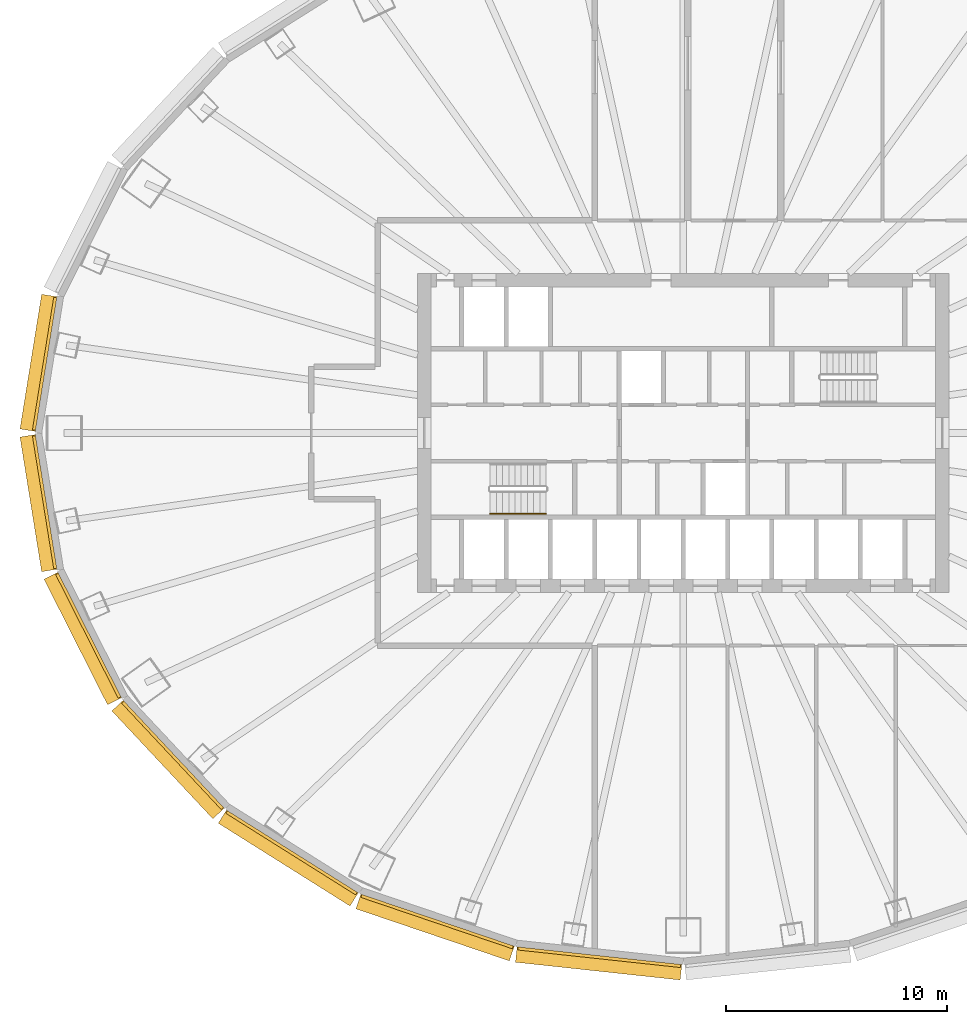
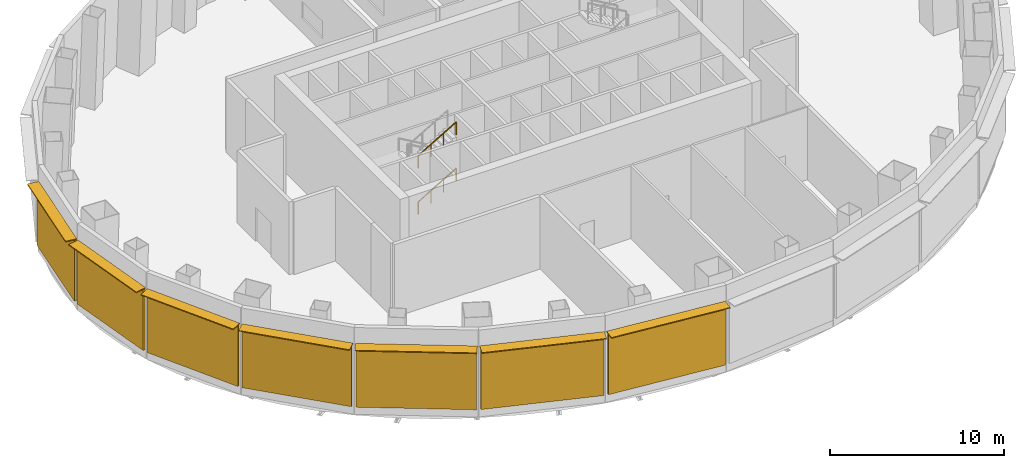
# One storey, part 6 of 9: 14 shading devices, 2 railings.
"""IFC4 building model written with IfcOpenShell, lengths in metres."""

from ifc_helpers import new_model, si_unit, direction, frame, origin, origin_2d, place, context, subcontext, project, spatial, rectangle, circle, extrude, material, layer, layer_set, type_object, element, save


model = new_model("IFC4")

# Units and contexts
model_context = context("Model", 3, precision=1e-05, world=origin(), true_north=direction((0.0, 1.0)))
body_context = subcontext(model_context, "Body", "Model", "MODEL_VIEW")
ifc_project = project(units=[si_unit("LENGTHUNIT", "METRE"), si_unit("AREAUNIT", "SQUARE_METRE"), si_unit("VOLUMEUNIT", "CUBIC_METRE"), si_unit("PLANEANGLEUNIT", "RADIAN"), si_unit("MASSUNIT", "GRAM", prefix="KILO")], contexts=[model_context])

# Site, building, storey
site_placement = place(None, origin())
site = spatial("IfcSite", under=ifc_project, at=site_placement, CompositionType="ELEMENT")
building_placement = place(site_placement, origin())
building = spatial("IfcBuilding", under=site, at=building_placement, Name="Siaravel Broadcast Tower", CompositionType="ELEMENT")
storey_placement = place(building_placement, frame((0.0, 0.0, 13.5)))
storey = spatial("IfcBuildingStorey", under=building, at=storey_placement, Name="L02", CompositionType="ELEMENT", Elevation=13.5)

# Shading devices
ifc_material_1 = material(Name="Bronze anodised aluminium", Category="aluminium")
ifc_layer_1 = layer(ifc_material_1, 0.06005859375)
ifc_layer_set_1 = layer_set([ifc_layer_1], Name="Bronze anodised aluminium")
shading_device_type_1 = type_object("IfcShadingDeviceType", Name="Brise-soleil band", PredefinedType="USERDEFINED", material=ifc_layer_set_1)
for number, where, z_axis, x_axis, name in (
    (1, (-29.1201171875, 3.168701171875, 4.929931640625), (0.0, 0.0, 1.0), (-0.158685394, -0.987329198, 0.0), "L02 brise-soleil band 12"),
    (2, (-29.1201171875, -3.168701171875, 4.929931640625), (0.0, 0.0, 1.0), (0.158685394, -0.987329198, 0.0), "L02 brise-soleil band 13"),
):
    element("IfcShadingDevice", number, at=place(storey_placement, frame(where, z_axis=z_axis, x_axis=x_axis)), inside=storey, type_object=shading_device_type_1, Name=name, ObjectType="SUNSHADE", PredefinedType="USERDEFINED", context=body_context, shape_type="SweptSolid", body=[
        extrude(rectangle(XDim=6.15869140625, YDim=0.699951171875, at=origin_2d()), origin(), (0.0, 0.0, 1.0), 0.06005859375),
    ])
shading_device_1_placement = place(storey_placement, frame((-27.12060546875, -9.28271484375, 4.929931640625), z_axis=(0.0, 0.0, 1.0), x_axis=(0.451262289, -0.892391364, 0.0)))
element("IfcShadingDevice", 3, at=shading_device_1_placement, inside=storey, type_object=shading_device_type_1, Name="L02 brise-soleil band 14", ObjectType="SUNSHADE", PredefinedType="USERDEFINED", context=body_context, shape_type="SweptSolid", body=[
    extrude(rectangle(XDim=6.351318359375, YDim=0.699951171875, at=origin_2d()), origin(), (0.0, 0.0, 1.0), 0.06005859375),
])
shading_device_2_placement = place(storey_placement, frame((-23.26904296875, -14.748291015625, 4.929931640625), z_axis=(0.0, 0.0, 1.0), x_axis=(0.683655992, -0.729804415, 0.0)))
element("IfcShadingDevice", 4, at=shading_device_2_placement, inside=storey, type_object=shading_device_type_1, Name="L02 brise-soleil band 15", ObjectType="SUNSHADE", PredefinedType="USERDEFINED", context=body_context, shape_type="SweptSolid", body=[
    extrude(rectangle(XDim=6.672119140625, YDim=0.699951171875, at=origin_2d()), origin(), (0.0, 0.0, 1.0), 0.06005859375),
])
shading_device_3_placement = place(storey_placement, frame((-17.83984375, -19.1962890625, 4.929931640625), z_axis=(0.0, 0.0, 1.0), x_axis=(0.846650436, -0.532149452, 0.0)))
element("IfcShadingDevice", 5, at=shading_device_3_placement, inside=storey, type_object=shading_device_type_1, Name="L02 brise-soleil band 16", ObjectType="SUNSHADE", PredefinedType="USERDEFINED", context=body_context, shape_type="SweptSolid", body=[
    extrude(rectangle(XDim=7.0244140625, YDim=0.699951171875, at=origin_2d()), origin(), (0.0, 0.0, 1.0), 0.06005859375),
])
shading_device_4_placement = place(storey_placement, frame((-11.20751953125, -22.333251953125, 4.929931640625), z_axis=(0.0, 0.0, 1.0), x_axis=(0.946977245, -0.321300635, 0.0)))
element("IfcShadingDevice", 6, at=shading_device_4_placement, inside=storey, type_object=shading_device_type_1, Name="L02 brise-soleil band 17", ObjectType="SUNSHADE", PredefinedType="USERDEFINED", context=body_context, shape_type="SweptSolid", body=[
    extrude(rectangle(XDim=7.316162109375, YDim=0.699951171875, at=origin_2d()), origin(), (0.0, 0.0, 1.0), 0.06005859375),
])
shading_device_5_placement = place(storey_placement, frame((-3.8212890625, -23.95458984375, 4.929931640625), z_axis=(0.0, 0.0, 1.0), x_axis=(0.994235667, -0.107216783, 0.0)))
element("IfcShadingDevice", 7, at=shading_device_5_placement, inside=storey, type_object=shading_device_type_1, Name="L02 brise-soleil band 18", ObjectType="SUNSHADE", PredefinedType="USERDEFINED", context=body_context, shape_type="SweptSolid", body=[
    extrude(rectangle(XDim=7.4794921875, YDim=0.699951171875, at=origin_2d()), origin(), (0.0, 0.0, 1.0), 0.06005859375),
])
ifc_material_2 = material(Name="Precast concrete C40/50", Category="concrete")
ifc_layer_2 = layer(ifc_material_2, 0.139892578125)
ifc_layer_set_2 = layer_set([ifc_layer_2], Name="Precast concrete C40/50")
shading_device_type_2 = type_object("IfcShadingDeviceType", Name="Cobogo screen", PredefinedType="USERDEFINED", material=ifc_layer_set_2)
for number, where, z_axis, x_axis, name in (
    (8, (-28.843505859375, 3.124267578125, 0.60009765625), (0.0, 0.0, 1.0), (-0.158685394, -0.987329198, 0.0), "L02 cobogo screen 12"),
    (9, (-28.843505859375, -3.124267578125, 0.60009765625), (0.0, 0.0, 1.0), (0.158685394, -0.987329198, 0.0), "L02 cobogo screen 13"),
):
    element("IfcShadingDevice", number, at=place(storey_placement, frame(where, z_axis=z_axis, x_axis=x_axis)), inside=storey, type_object=shading_device_type_2, Name=name, ObjectType="SCREEN", PredefinedType="USERDEFINED", context=body_context, shape_type="SweptSolid", body=[
        extrude(rectangle(XDim=6.058837890625, YDim=0.139892578125, at=origin_2d()), origin(), (0.0, 0.0, 1.0), 4.300048828125),
    ])
shading_device_6_placement = place(storey_placement, frame((-26.87060546875, -9.156494140625, 0.60009765625), z_axis=(0.0, 0.0, 1.0), x_axis=(0.451262289, -0.892391364, 0.0)))
element("IfcShadingDevice", 10, at=shading_device_6_placement, inside=storey, type_object=shading_device_type_2, Name="L02 cobogo screen 14", ObjectType="SCREEN", PredefinedType="USERDEFINED", context=body_context, shape_type="SweptSolid", body=[
    extrude(rectangle(XDim=6.25146484375, YDim=0.139892578125, at=origin_2d()), origin(), (0.0, 0.0, 1.0), 4.300048828125),
])
shading_device_7_placement = place(storey_placement, frame((-23.064697265625, -14.556884765625, 0.60009765625), z_axis=(0.0, 0.0, 1.0), x_axis=(0.683655992, -0.729804415, 0.0)))
element("IfcShadingDevice", 11, at=shading_device_7_placement, inside=storey, type_object=shading_device_type_2, Name="L02 cobogo screen 15", ObjectType="SCREEN", PredefinedType="USERDEFINED", context=body_context, shape_type="SweptSolid", body=[
    extrude(rectangle(XDim=6.572021484375, YDim=0.139892578125, at=origin_2d()), origin(), (0.0, 0.0, 1.0), 4.300048828125),
])
shading_device_8_placement = place(storey_placement, frame((-17.69091796875, -18.958984375, 0.60009765625), z_axis=(0.0, 0.0, 1.0), x_axis=(0.846650436, -0.532149452, 0.0)))
element("IfcShadingDevice", 12, at=shading_device_8_placement, inside=storey, type_object=shading_device_type_2, Name="L02 cobogo screen 16", ObjectType="SCREEN", PredefinedType="USERDEFINED", context=body_context, shape_type="SweptSolid", body=[
    extrude(rectangle(XDim=6.924560546875, YDim=0.139892578125, at=origin_2d()), origin(), (0.0, 0.0, 1.0), 4.300048828125),
])
shading_device_9_placement = place(storey_placement, frame((-11.117431640625, -22.068115234375, 0.60009765625), z_axis=(0.0, 0.0, 1.0), x_axis=(0.946977245, -0.321300635, 0.0)))
element("IfcShadingDevice", 13, at=shading_device_9_placement, inside=storey, type_object=shading_device_type_2, Name="L02 cobogo screen 17", ObjectType="SCREEN", PredefinedType="USERDEFINED", context=body_context, shape_type="SweptSolid", body=[
    extrude(rectangle(XDim=7.21630859375, YDim=0.139892578125, at=origin_2d()), origin(), (0.0, 0.0, 1.0), 4.300048828125),
])
shading_device_10_placement = place(storey_placement, frame((-3.791259765625, -23.676025390625, 0.60009765625), z_axis=(0.0, 0.0, 1.0), x_axis=(0.994235667, -0.107216783, 0.0)))
element("IfcShadingDevice", 14, at=shading_device_10_placement, inside=storey, type_object=shading_device_type_2, Name="L02 cobogo screen 18", ObjectType="SCREEN", PredefinedType="USERDEFINED", context=body_context, shape_type="SweptSolid", body=[
    extrude(rectangle(XDim=7.379638671875, YDim=0.139892578125, at=origin_2d()), origin(), (0.0, 0.0, 1.0), 4.300048828125),
])

# Railings
ifc_material_3 = material(Name="Stainless steel 316L", Category="steel")
railing_type = type_object("IfcRailingType", Name="Stair handrail 900", PredefinedType="HANDRAIL", material=ifc_material_3)
for number, where, name in (
    (15, (-8.719970703125, -3.64990234375, 1.78759765625), "L02 ST-1 stair handrail 2"),
    (16, (-8.719970703125, -3.64990234375, 5.03759765625), "L02 ST-1 stair handrail 4"),
):
    element("IfcRailing", number, at=place(storey_placement, frame(where)), inside=storey, type_object=railing_type, Name=name, PredefinedType="HANDRAIL", context=body_context, shape_type="SweptSolid", body=[
        extrude(circle(Radius=0.02392578125, at=origin_2d()), frame((0.0, 0.0, 0.8759765625), z_axis=(0.864913338, 0.0, 0.501921226), x_axis=(0.0, 1.0, 0.0)), (0.0, 0.0, 1.0), 2.91357421875),
        extrude(circle(Radius=0.02099609375, at=origin_2d()), origin(), (0.0, 0.0, 1.0), 0.851806640625),
        extrude(circle(Radius=0.02099609375, at=origin_2d()), frame((0.840087890625, 0.0, 0.487548828125)), (0.0, 0.0, 1.0), 0.851806640625),
        extrude(circle(Radius=0.02099609375, at=origin_2d()), frame((1.679931640625, 0.0, 0.974853515625)), (0.0, 0.0, 1.0), 0.851806640625),
        extrude(circle(Radius=0.02099609375, at=origin_2d()), frame((2.52001953125, 0.0, 1.46240234375)), (0.0, 0.0, 1.0), 0.851806640625),
    ])

save(model, "model.ifc")
